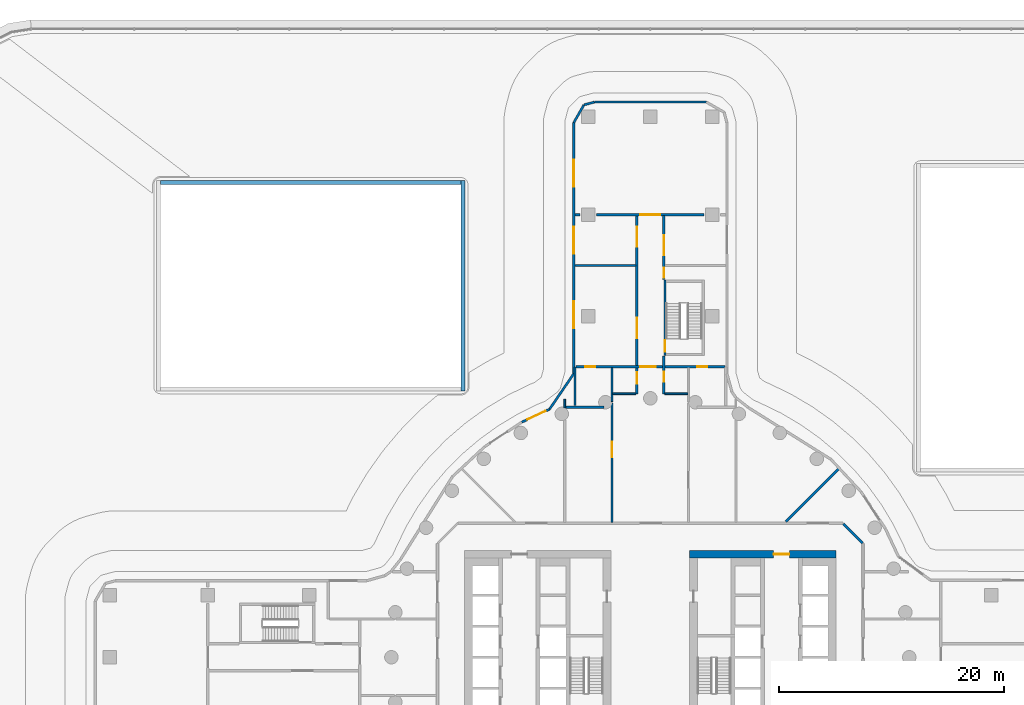
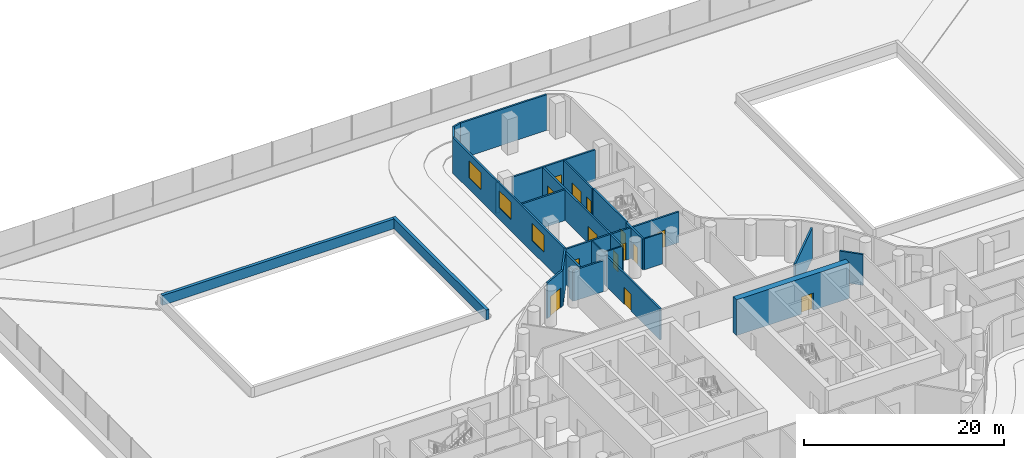
# One storey, part 27 of 37: 26 walls, 14 doors, 3 windows, 17 openings.
"""IFC4 building model written with IfcOpenShell, lengths in metres."""

from ifc_helpers import new_model, si_unit, direction, frame, frame_2d, origin, place, context, subcontext, project, spatial, rectangle, extrude, material, layer, layer_set, type_object, element, fill, save


model = new_model("IFC4")

# Units and contexts
model_context = context("Model", 3, precision=1e-05, world=origin(), true_north=direction((0.0, 1.0)))
body_context = subcontext(model_context, "Body", "Model", "MODEL_VIEW")
ifc_project = project(units=[si_unit("LENGTHUNIT", "METRE"), si_unit("AREAUNIT", "SQUARE_METRE"), si_unit("VOLUMEUNIT", "CUBIC_METRE"), si_unit("PLANEANGLEUNIT", "RADIAN"), si_unit("MASSUNIT", "GRAM", prefix="KILO")], contexts=[model_context])

# Site, building, storey
site_placement = place(None, origin())
site = spatial("IfcSite", under=ifc_project, at=site_placement, CompositionType="ELEMENT")
building_placement = place(site_placement, origin())
building = spatial("IfcBuilding", under=site, at=building_placement, Name="Tamarind Cross Interchange Tower", CompositionType="ELEMENT")
storey_placement = place(building_placement, frame((0.0, 0.0, 29.5)))
storey = spatial("IfcBuildingStorey", under=building, at=storey_placement, Name="L05", CompositionType="ELEMENT", Elevation=29.5)

# Wall, opening, door
ifc_material_1 = material(Name="Concrete C80", Category="concrete")
ifc_layer_1 = layer(ifc_material_1, 0.699951171875)
ifc_layer_set_1 = layer_set([ifc_layer_1], Name="Concrete C80")
wall_type_1 = type_object("IfcWallType", Name="Core wall 700 mm Concrete C80", PredefinedType="SHEAR", material=ifc_layer_set_1)
wall_1_placement = place(storey_placement, frame((16.5, 9.14990234375, 0.0), z_axis=(0.0, 0.0, 1.0), x_axis=(-1.0, 0.0, 0.0)))
wall_1 = element("IfcWall", 1, at=wall_1_placement, inside=storey, type_object=wall_type_1, Name="Core wall CWL-L05-E-NE", PredefinedType="SHEAR", context=body_context, shape_type="SweptSolid", body=[
    extrude(rectangle(XDim=13.0, YDim=0.699951171875, at=frame_2d((6.5, 0.0))), origin(), (0.0, 0.0, 1.0), 4.360107421875),
])
opening_1_placement = place(wall_1_placement, frame((4.14990234375, 0.0, 0.0)))
opening_1 = element("IfcOpeningElement", 2, at=opening_1_placement, cuts=wall_1, Name="Opening DCE31", PredefinedType="OPENING", context=body_context, shape_type="SweptSolid", body=[
    extrude(rectangle(XDim=1.39990234375, YDim=2.10009765625, at=frame_2d((0.699951171875, 1.050048828125))), frame((0.0, 0.35986328125, 0.0), z_axis=(0.0, -1.0, 0.0), x_axis=(1.0, 0.0, 0.0)), (0.0, 0.0, 1.0), 0.719970703125),
])
ifc_material_2 = material(Name="Steel, fire-resisting", Category="steel")
door_type_1 = type_object("IfcDoorType", Name="Core fire door 1400 x 2100 FD90", OperationType="SINGLE_SWING_LEFT", PredefinedType="DOOR", material=ifc_material_2)
door_1_placement = place(opening_1_placement, origin())
door_1 = element("IfcDoor", 3, at=door_1_placement, inside=storey, type_object=door_type_1, Name="L05 lift hall exit door", OperationType="SINGLE_SWING_LEFT", OverallHeight=2.10009765625, OverallWidth=1.39990234375, PredefinedType="DOOR", context=body_context, shape_type="SweptSolid", body=[
    extrude(rectangle(XDim=1.39990234375, YDim=2.10009765625, at=frame_2d((0.699951171875, 1.050048828125))), frame((0.0, 0.02490234375, 0.0), z_axis=(0.0, -1.0, 0.0), x_axis=(1.0, 0.0, 0.0)), (0.0, 0.0, 1.0), 0.050048828125),
])
fill(opening_1, door_1)

# Walls
ifc_material_3 = material(Name="Gypsum board partition on steel studs", Category="steel")
ifc_layer_2 = layer(ifc_material_3, 0.14990234375)
ifc_layer_set_2 = layer_set([ifc_layer_2], Name="Gypsum board partition on steel studs")
wall_type_2 = type_object("IfcWallType", Name="Partition 150 mm EI 120", PredefinedType="PARTITIONING", material=ifc_layer_set_2)
for number, where, z_axis, x_axis, name in (
    (4, (-3.340087890625, 23.39990234375, 0.0), (0.0, 0.0, 1.0), (1.0, 0.0, 0.0), "Partition L05-042"),
    (5, (1.284912109375, 23.39990234375, 0.0), (0.0, 0.0, 1.0), (1.0, 0.0, 0.0), "Partition L05-043"),
):
    element("IfcWall", number, at=place(storey_placement, frame(where, z_axis=z_axis, x_axis=x_axis)), inside=storey, type_object=wall_type_2, Name=name, PredefinedType="PARTITIONING", context=body_context, shape_type="SweptSolid", body=[
        extrude(rectangle(XDim=2.05517578125, YDim=0.14990234375, at=frame_2d((1.027587890625, 0.0))), origin(), (0.0, 0.0, 1.0), 3.760009765625),
    ])
wall_2_placement = place(storey_placement, frame((-7.60009765625, 22.151611328125, 0.0), z_axis=(0.0, 0.0, 1.0), x_axis=(0.0, 1.0, 0.0)))
element("IfcWall", 6, at=wall_2_placement, inside=storey, type_object=wall_type_2, Name="Partition L05-057", PredefinedType="PARTITIONING", context=body_context, shape_type="SweptSolid", body=[
    extrude(rectangle(XDim=0.770263671875, YDim=0.14990234375, at=frame_2d((0.38525390625, 0.0))), origin(), (0.0, 0.0, 1.0), 3.760009765625),
])
wall_3_placement = place(storey_placement, frame((-3.39990234375, 22.710693359375, 0.0), z_axis=(0.0, 0.0, 1.0), x_axis=(0.0, 1.0, 0.0)))
element("IfcWall", 7, at=wall_3_placement, inside=storey, type_object=wall_type_2, Name="Partition L05-061", PredefinedType="PARTITIONING", context=body_context, shape_type="SweptSolid", body=[
    extrude(rectangle(XDim=3.00439453125, YDim=0.14990234375, at=frame_2d((1.502197265625, 0.0))), origin(), (0.0, 0.0, 1.0), 3.760009765625),
])
ifc_layer_3 = layer(ifc_material_3, 0.199951171875)
ifc_layer_set_3 = layer_set([ifc_layer_3], Name="Gypsum board partition on steel studs")
wall_type_3 = type_object("IfcWallType", Name="Partition 200 mm EI 180", PredefinedType="PARTITIONING", material=ifc_layer_set_3)
wall_4_placement = place(storey_placement, frame((17.142333984375, 11.857666015625, 0.0), z_axis=(0.0, 0.0, 1.0), x_axis=(0.707106781187, -0.707106781187, 0.0)))
element("IfcWall", 8, at=wall_4_placement, inside=storey, type_object=wall_type_3, Name="Partition L05-004", PredefinedType="PARTITIONING", context=body_context, shape_type="SweptSolid", body=[
    extrude(rectangle(XDim=2.42578125, YDim=0.199951171875, at=frame_2d((1.212890625, 0.0))), origin(), (0.0, 0.0, 1.0), 3.760009765625),
])
wall_5_placement = place(storey_placement, frame((-7.5400390625, 22.199951171875, 0.0), z_axis=(0.0, 0.0, 1.0), x_axis=(1.0, 0.0, 0.0)))
element("IfcWall", 9, at=wall_5_placement, inside=storey, type_object=wall_type_3, Name="Partition L05-029", PredefinedType="PARTITIONING", context=body_context, shape_type="SweptSolid", body=[
    extrude(rectangle(XDim=3.413330078125, YDim=0.199951171875, at=frame_2d((1.70654296875, 0.0))), origin(), (0.0, 0.0, 1.0), 3.760009765625),
])

# Wall, openings, doors
wall_6_placement = place(storey_placement, frame((-6.618896484375, 25.800048828125, 0.0), z_axis=(0.0, 0.0, 1.0), x_axis=(1.0, 0.0, 0.0)))
wall_6 = element("IfcWall", 10, at=wall_6_placement, inside=storey, type_object=wall_type_3, Name="Partition L05-035", PredefinedType="PARTITIONING", context=body_context, shape_type="SweptSolid", body=[
    extrude(rectangle(XDim=13.23779296875, YDim=0.199951171875, at=frame_2d((6.618896484375, 0.0))), origin(), (0.0, 0.0, 1.0), 3.760009765625),
])
opening_2_placement = place(wall_6_placement, frame((5.718994140625, 0.0, 0.0)))
opening_2 = element("IfcOpeningElement", 11, at=opening_2_placement, cuts=wall_6, Name="Opening D12", PredefinedType="OPENING", context=body_context, shape_type="SweptSolid", body=[
    extrude(rectangle(XDim=1.39990234375, YDim=2.10009765625, at=frame_2d((0.699951171875, 1.050048828125))), frame((0.0, 0.10986328125, 0.0), z_axis=(0.0, -1.0, 0.0), x_axis=(1.0, 0.0, 0.0)), (0.0, 0.0, 1.0), 0.219970703125),
])
opening_3_placement = place(wall_6_placement, frame((0.84912109375, 0.0, 0.0)))
opening_3 = element("IfcOpeningElement", 12, at=opening_3_placement, cuts=wall_6, Name="Opening D13", PredefinedType="OPENING", context=body_context, shape_type="SweptSolid", body=[
    extrude(rectangle(XDim=0.89990234375, YDim=2.10009765625, at=frame_2d((0.449951171875, 1.050048828125))), frame((0.0, 0.10986328125, 0.0), z_axis=(0.0, -1.0, 0.0), x_axis=(1.0, 0.0, 0.0)), (0.0, 0.0, 1.0), 0.219970703125),
])
opening_4_placement = place(wall_6_placement, frame((10.76904296875, 0.0, 0.0)))
opening_4 = element("IfcOpeningElement", 13, at=opening_4_placement, cuts=wall_6, Name="Opening D14", PredefinedType="OPENING", context=body_context, shape_type="SweptSolid", body=[
    extrude(rectangle(XDim=0.89990234375, YDim=2.10009765625, at=frame_2d((0.449951171875, 1.050048828125))), frame((0.0, 0.10986328125, 0.0), z_axis=(0.0, -1.0, 0.0), x_axis=(1.0, 0.0, 0.0)), (0.0, 0.0, 1.0), 0.219970703125),
])
ifc_material_4 = material(Name="Fire-resisting door set")
door_type_2 = type_object("IfcDoorType", Name="Interior door 1400 x 2100 FD120S", OperationType="DOUBLE_DOOR_SINGLE_SWING", PredefinedType="DOOR", material=ifc_material_4)
door_2_placement = place(opening_2_placement, frame((1.39990234375, 0.0, 0.0), z_axis=(0.0, 0.0, 1.0), x_axis=(-1.0, 0.0, 0.0)))
door_2 = element("IfcDoor", 14, at=door_2_placement, inside=storey, type_object=door_type_2, Name="Door D12", OperationType="DOUBLE_DOOR_SINGLE_SWING", OverallHeight=2.10009765625, OverallWidth=1.39990234375, PredefinedType="DOOR", context=body_context, shape_type="SweptSolid", body=[
    extrude(rectangle(XDim=1.39990234375, YDim=2.10009765625, at=frame_2d((0.699951171875, 1.050048828125))), frame((0.0, 0.02490234375, 0.0), z_axis=(0.0, -1.0, 0.0), x_axis=(1.0, 0.0, 0.0)), (0.0, 0.0, 1.0), 0.050048828125),
])
fill(opening_2, door_2)
door_type_3 = type_object("IfcDoorType", Name="Interior door 900 x 2100 FD120S", OperationType="SINGLE_SWING_LEFT", PredefinedType="DOOR", material=ifc_material_4)
door_3_placement = place(opening_3_placement, frame((0.89990234375, 0.0, 0.0), z_axis=(0.0, 0.0, 1.0), x_axis=(-1.0, 0.0, 0.0)))
door_3 = element("IfcDoor", 15, at=door_3_placement, inside=storey, type_object=door_type_3, Name="Door D13", OperationType="SINGLE_SWING_LEFT", OverallHeight=2.10009765625, OverallWidth=0.89990234375, PredefinedType="DOOR", context=body_context, shape_type="SweptSolid", body=[
    extrude(rectangle(XDim=0.89990234375, YDim=2.10009765625, at=frame_2d((0.449951171875, 1.050048828125))), frame((0.0, 0.02490234375, 0.0), z_axis=(0.0, -1.0, 0.0), x_axis=(1.0, 0.0, 0.0)), (0.0, 0.0, 1.0), 0.050048828125),
])
fill(opening_3, door_3)
door_4_placement = place(opening_4_placement, frame((0.89990234375, 0.0, 0.0), z_axis=(0.0, 0.0, 1.0), x_axis=(-1.0, 0.0, 0.0)))
door_4 = element("IfcDoor", 16, at=door_4_placement, inside=storey, type_object=door_type_3, Name="Door D14", OperationType="SINGLE_SWING_RIGHT", OverallHeight=2.10009765625, OverallWidth=0.89990234375, PredefinedType="DOOR", context=body_context, shape_type="SweptSolid", body=[
    extrude(rectangle(XDim=0.89990234375, YDim=2.10009765625, at=frame_2d((0.449951171875, 1.050048828125))), frame((0.0, 0.02490234375, 0.0), z_axis=(0.0, -1.0, 0.0), x_axis=(1.0, 0.0, 0.0)), (0.0, 0.0, 1.0), 0.050048828125),
])
fill(opening_4, door_4)

# Walls
wall_7_placement = place(storey_placement, frame((-6.698974609375, 34.800048828125, 0.0), z_axis=(0.0, 0.0, 1.0), x_axis=(1.0, 0.0, 0.0)))
element("IfcWall", 17, at=wall_7_placement, inside=storey, type_object=wall_type_3, Name="Partition L05-036", PredefinedType="PARTITIONING", context=body_context, shape_type="SweptSolid", body=[
    extrude(rectangle(XDim=5.4140625, YDim=0.199951171875, at=frame_2d((2.70703125, 0.0))), origin(), (0.0, 0.0, 1.0), 3.760009765625),
])
wall_8_placement = place(storey_placement, frame((-6.698974609375, 39.300048828125, 0.0), z_axis=(0.0, 0.0, 1.0), x_axis=(1.0, 0.0, 0.0)))
element("IfcWall", 18, at=wall_8_placement, inside=storey, type_object=wall_type_3, Name="Partition L05-038", PredefinedType="PARTITIONING", context=body_context, shape_type="SweptSolid", body=[
    extrude(rectangle(XDim=0.468994140625, YDim=0.199951171875, at=frame_2d((0.234375, 0.0))), origin(), (0.0, 0.0, 1.0), 3.760009765625),
])

# Wall, opening, door
wall_9_placement = place(storey_placement, frame((-4.77001953125, 39.300048828125, 0.0), z_axis=(0.0, 0.0, 1.0), x_axis=(1.0, 0.0, 0.0)))
wall_9 = element("IfcWall", 19, at=wall_9_placement, inside=storey, type_object=wall_type_3, Name="Partition L05-039", PredefinedType="PARTITIONING", context=body_context, shape_type="SweptSolid", body=[
    extrude(rectangle(XDim=9.5400390625, YDim=0.199951171875, at=frame_2d((4.77001953125, 0.0))), origin(), (0.0, 0.0, 1.0), 3.760009765625),
])
opening_5_placement = place(wall_9_placement, frame((3.8701171875, 0.0, 0.0)))
opening_5 = element("IfcOpeningElement", 20, at=opening_5_placement, cuts=wall_9, Name="Opening D15", PredefinedType="OPENING", context=body_context, shape_type="SweptSolid", body=[
    extrude(rectangle(XDim=1.800048828125, YDim=2.10009765625, at=frame_2d((0.89990234375, 1.050048828125))), frame((0.0, 0.10986328125, 0.0), z_axis=(0.0, -1.0, 0.0), x_axis=(1.0, 0.0, 0.0)), (0.0, 0.0, 1.0), 0.219970703125),
])
door_type_4 = type_object("IfcDoorType", Name="Interior door 1800 x 2100 FD120S", OperationType="DOUBLE_DOOR_SINGLE_SWING", PredefinedType="DOOR", material=ifc_material_4)
door_5_placement = place(opening_5_placement, origin())
door_5 = element("IfcDoor", 21, at=door_5_placement, inside=storey, type_object=door_type_4, Name="Door D15", OperationType="DOUBLE_DOOR_SINGLE_SWING", OverallHeight=2.10009765625, OverallWidth=1.800048828125, PredefinedType="DOOR", context=body_context, shape_type="SweptSolid", body=[
    extrude(rectangle(XDim=1.800048828125, YDim=2.10009765625, at=frame_2d((0.89990234375, 1.050048828125))), frame((0.0, 0.02490234375, 0.0), z_axis=(0.0, -1.0, 0.0), x_axis=(1.0, 0.0, 0.0)), (0.0, 0.0, 1.0), 0.050048828125),
])
fill(opening_5, door_5)

# Wall
wall_10_placement = place(storey_placement, frame((12.052001953125, 12.052001953125, 0.0), z_axis=(0.0, 0.0, 1.0), x_axis=(0.707106781187, 0.707106781187, 0.0)))
element("IfcWall", 22, at=wall_10_placement, inside=storey, type_object=wall_type_3, Name="Partition L05-046", PredefinedType="PARTITIONING", context=body_context, shape_type="SweptSolid", body=[
    extrude(rectangle(XDim=6.630615234375, YDim=0.199951171875, at=frame_2d((3.3154296875, 0.0))), origin(), (0.0, 0.0, 1.0), 3.760009765625),
])

# Wall, opening, door
wall_11_placement = place(storey_placement, frame((-3.39990234375, 11.97998046875, 0.0), z_axis=(0.0, 0.0, 1.0), x_axis=(0.0, 1.0, 0.0)))
wall_11 = element("IfcWall", 23, at=wall_11_placement, inside=storey, type_object=wall_type_3, Name="Partition L05-060", PredefinedType="PARTITIONING", context=body_context, shape_type="SweptSolid", body=[
    extrude(rectangle(XDim=10.610595703125, YDim=0.199951171875, at=frame_2d((5.30517578125, 0.0))), origin(), (0.0, 0.0, 1.0), 3.760009765625),
])
opening_6_placement = place(wall_11_placement, frame((5.77001953125, 0.0, 0.0)))
opening_6 = element("IfcOpeningElement", 24, at=opening_6_placement, cuts=wall_11, Name="Opening D23", PredefinedType="OPENING", context=body_context, shape_type="SweptSolid", body=[
    extrude(rectangle(XDim=1.39990234375, YDim=2.10009765625, at=frame_2d((0.699951171875, 1.050048828125))), frame((0.0, 0.10986328125, 0.0), z_axis=(0.0, -1.0, 0.0), x_axis=(1.0, 0.0, 0.0)), (0.0, 0.0, 1.0), 0.219970703125),
])
door_6_placement = place(opening_6_placement, origin())
door_6 = element("IfcDoor", 25, at=door_6_placement, inside=storey, type_object=door_type_2, Name="Door D23", OperationType="DOUBLE_DOOR_SINGLE_SWING", OverallHeight=2.10009765625, OverallWidth=1.39990234375, PredefinedType="DOOR", context=body_context, shape_type="SweptSolid", body=[
    extrude(rectangle(XDim=1.39990234375, YDim=2.10009765625, at=frame_2d((0.699951171875, 1.050048828125))), frame((0.0, 0.02490234375, 0.0), z_axis=(0.0, -1.0, 0.0), x_axis=(1.0, 0.0, 0.0)), (0.0, 0.0, 1.0), 0.050048828125),
])
fill(opening_6, door_6)

# Wall, openings, doors
wall_12_placement = place(storey_placement, frame((-1.199951171875, 23.39990234375, 0.0), z_axis=(0.0, 0.0, 1.0), x_axis=(0.0, 1.0, 0.0)))
wall_12 = element("IfcWall", 26, at=wall_12_placement, inside=storey, type_object=wall_type_3, Name="Partition L05-064", PredefinedType="PARTITIONING", context=body_context, shape_type="SweptSolid", body=[
    extrude(rectangle(XDim=15.820068359375, YDim=0.199951171875, at=frame_2d((7.91015625, 0.0))), origin(), (0.0, 0.0, 1.0), 3.760009765625),
])
opening_7_placement = place(wall_12_placement, frame((0.89990234375, 0.0, 0.0)))
opening_7 = element("IfcOpeningElement", 27, at=opening_7_placement, cuts=wall_12, Name="Opening D25", PredefinedType="OPENING", context=body_context, shape_type="SweptSolid", body=[
    extrude(rectangle(XDim=1.0, YDim=2.10009765625, at=frame_2d((0.5, 1.050048828125))), frame((0.0, 0.10986328125, 0.0), z_axis=(0.0, -1.0, 0.0), x_axis=(1.0, 0.0, 0.0)), (0.0, 0.0, 1.0), 0.219970703125),
])
opening_8_placement = place(wall_12_placement, frame((4.949951171875, 0.0, 0.0)))
opening_8 = element("IfcOpeningElement", 28, at=opening_8_placement, cuts=wall_12, Name="Opening D26", PredefinedType="OPENING", context=body_context, shape_type="SweptSolid", body=[
    extrude(rectangle(XDim=1.800048828125, YDim=2.10009765625, at=frame_2d((0.89990234375, 1.050048828125))), frame((0.0, 0.10986328125, 0.0), z_axis=(0.0, -1.0, 0.0), x_axis=(1.0, 0.0, 0.0)), (0.0, 0.0, 1.0), 0.219970703125),
])
opening_9_placement = place(wall_12_placement, frame((13.050048828125, 0.0, 0.0)))
opening_9 = element("IfcOpeningElement", 29, at=opening_9_placement, cuts=wall_12, Name="Opening D27", PredefinedType="OPENING", context=body_context, shape_type="SweptSolid", body=[
    extrude(rectangle(XDim=1.800048828125, YDim=2.10009765625, at=frame_2d((0.89990234375, 1.050048828125))), frame((0.0, 0.10986328125, 0.0), z_axis=(0.0, -1.0, 0.0), x_axis=(1.0, 0.0, 0.0)), (0.0, 0.0, 1.0), 0.219970703125),
])
door_type_5 = type_object("IfcDoorType", Name="Interior door 1000 x 2100 FD120S", OperationType="SINGLE_SWING_LEFT", PredefinedType="DOOR", material=ifc_material_4)
door_7_placement = place(opening_7_placement, origin())
door_7 = element("IfcDoor", 30, at=door_7_placement, inside=storey, type_object=door_type_5, Name="Door D25", OperationType="SINGLE_SWING_RIGHT", OverallHeight=2.10009765625, OverallWidth=1.0, PredefinedType="DOOR", context=body_context, shape_type="SweptSolid", body=[
    extrude(rectangle(XDim=1.0, YDim=2.10009765625, at=frame_2d((0.5, 1.050048828125))), frame((0.0, 0.02490234375, 0.0), z_axis=(0.0, -1.0, 0.0), x_axis=(1.0, 0.0, 0.0)), (0.0, 0.0, 1.0), 0.050048828125),
])
fill(opening_7, door_7)
door_8_placement = place(opening_8_placement, origin())
door_8 = element("IfcDoor", 31, at=door_8_placement, inside=storey, type_object=door_type_4, Name="Door D26", OperationType="DOUBLE_DOOR_SINGLE_SWING", OverallHeight=2.10009765625, OverallWidth=1.800048828125, PredefinedType="DOOR", context=body_context, shape_type="SweptSolid", body=[
    extrude(rectangle(XDim=1.800048828125, YDim=2.10009765625, at=frame_2d((0.89990234375, 1.050048828125))), frame((0.0, 0.02490234375, 0.0), z_axis=(0.0, -1.0, 0.0), x_axis=(1.0, 0.0, 0.0)), (0.0, 0.0, 1.0), 0.050048828125),
])
fill(opening_8, door_8)
door_9_placement = place(opening_9_placement, origin())
door_9 = element("IfcDoor", 32, at=door_9_placement, inside=storey, type_object=door_type_4, Name="Door D27", OperationType="DOUBLE_DOOR_SINGLE_SWING", OverallHeight=2.10009765625, OverallWidth=1.800048828125, PredefinedType="DOOR", context=body_context, shape_type="SweptSolid", body=[
    extrude(rectangle(XDim=1.800048828125, YDim=2.10009765625, at=frame_2d((0.89990234375, 1.050048828125))), frame((0.0, 0.02490234375, 0.0), z_axis=(0.0, -1.0, 0.0), x_axis=(1.0, 0.0, 0.0)), (0.0, 0.0, 1.0), 0.050048828125),
])
fill(opening_9, door_9)

# Wall, opening, door
wall_13_placement = place(storey_placement, frame((1.199951171875, 23.39990234375, 0.0), z_axis=(0.0, 0.0, 1.0), x_axis=(0.0, 1.0, 0.0)))
wall_13 = element("IfcWall", 33, at=wall_13_placement, inside=storey, type_object=wall_type_3, Name="Partition L05-066", PredefinedType="PARTITIONING", context=body_context, shape_type="SweptSolid", body=[
    extrude(rectangle(XDim=3.360107421875, YDim=0.199951171875, at=frame_2d((1.68017578125, 0.0))), origin(), (0.0, 0.0, 1.0), 3.760009765625),
])
opening_10_placement = place(wall_13_placement, frame((1.050048828125, 0.0, 0.0)))
opening_10 = element("IfcOpeningElement", 34, at=opening_10_placement, cuts=wall_13, Name="Opening D29", PredefinedType="OPENING", context=body_context, shape_type="SweptSolid", body=[
    extrude(rectangle(XDim=0.89990234375, YDim=2.10009765625, at=frame_2d((0.449951171875, 1.050048828125))), frame((0.0, 0.10986328125, 0.0), z_axis=(0.0, -1.0, 0.0), x_axis=(1.0, 0.0, 0.0)), (0.0, 0.0, 1.0), 0.219970703125),
])
door_10_placement = place(opening_10_placement, frame((0.89990234375, 0.0, 0.0), z_axis=(0.0, 0.0, 1.0), x_axis=(-1.0, 0.0, 0.0)))
door_10 = element("IfcDoor", 35, at=door_10_placement, inside=storey, type_object=door_type_3, Name="Door D29", OperationType="SINGLE_SWING_LEFT", OverallHeight=2.10009765625, OverallWidth=0.89990234375, PredefinedType="DOOR", context=body_context, shape_type="SweptSolid", body=[
    extrude(rectangle(XDim=0.89990234375, YDim=2.10009765625, at=frame_2d((0.449951171875, 1.050048828125))), frame((0.0, 0.02490234375, 0.0), z_axis=(0.0, -1.0, 0.0), x_axis=(1.0, 0.0, 0.0)), (0.0, 0.0, 1.0), 0.050048828125),
])
fill(opening_10, door_10)

# Wall, openings, doors
wall_14_placement = place(storey_placement, frame((1.199951171875, 33.5400390625, 0.0), z_axis=(0.0, 0.0, 1.0), x_axis=(0.0, 1.0, 0.0)))
wall_14 = element("IfcWall", 36, at=wall_14_placement, inside=storey, type_object=wall_type_3, Name="Partition L05-067", PredefinedType="PARTITIONING", context=body_context, shape_type="SweptSolid", body=[
    extrude(rectangle(XDim=5.679931640625, YDim=0.199951171875, at=frame_2d((2.83984375, 0.0))), origin(), (0.0, 0.0, 1.0), 3.760009765625),
])
opening_11_placement = place(wall_14_placement, frame((2.159912109375, 0.0, 0.0)))
opening_11 = element("IfcOpeningElement", 37, at=opening_11_placement, cuts=wall_14, Name="Opening D30", PredefinedType="OPENING", context=body_context, shape_type="SweptSolid", body=[
    extrude(rectangle(XDim=1.800048828125, YDim=2.10009765625, at=frame_2d((0.89990234375, 1.050048828125))), frame((0.0, 0.10986328125, 0.0), z_axis=(0.0, -1.0, 0.0), x_axis=(1.0, 0.0, 0.0)), (0.0, 0.0, 1.0), 0.219970703125),
])
opening_12_placement = place(wall_14_placement, frame((0.14990234375, 0.0, 0.0)))
opening_12 = element("IfcOpeningElement", 38, at=opening_12_placement, cuts=wall_14, Name="Opening D31", PredefinedType="OPENING", context=body_context, shape_type="SweptSolid", body=[
    extrude(rectangle(XDim=0.89990234375, YDim=2.10009765625, at=frame_2d((0.449951171875, 1.050048828125))), frame((0.0, 0.10986328125, 0.0), z_axis=(0.0, -1.0, 0.0), x_axis=(1.0, 0.0, 0.0)), (0.0, 0.0, 1.0), 0.219970703125),
])
door_11_placement = place(opening_11_placement, frame((1.800048828125, 0.0, 0.0), z_axis=(0.0, 0.0, 1.0), x_axis=(-1.0, 0.0, 0.0)))
door_11 = element("IfcDoor", 39, at=door_11_placement, inside=storey, type_object=door_type_4, Name="Door D30", OperationType="DOUBLE_DOOR_SINGLE_SWING", OverallHeight=2.10009765625, OverallWidth=1.800048828125, PredefinedType="DOOR", context=body_context, shape_type="SweptSolid", body=[
    extrude(rectangle(XDim=1.800048828125, YDim=2.10009765625, at=frame_2d((0.89990234375, 1.050048828125))), frame((0.0, 0.02490234375, 0.0), z_axis=(0.0, -1.0, 0.0), x_axis=(1.0, 0.0, 0.0)), (0.0, 0.0, 1.0), 0.050048828125),
])
fill(opening_11, door_11)
door_12_placement = place(opening_12_placement, frame((0.89990234375, 0.0, 0.0), z_axis=(0.0, 0.0, 1.0), x_axis=(-1.0, 0.0, 0.0)))
door_12 = element("IfcDoor", 40, at=door_12_placement, inside=storey, type_object=door_type_3, Name="Door D31", OperationType="SINGLE_SWING_LEFT", OverallHeight=2.10009765625, OverallWidth=0.89990234375, PredefinedType="DOOR", context=body_context, shape_type="SweptSolid", body=[
    extrude(rectangle(XDim=0.89990234375, YDim=2.10009765625, at=frame_2d((0.449951171875, 1.050048828125))), frame((0.0, 0.02490234375, 0.0), z_axis=(0.0, -1.0, 0.0), x_axis=(1.0, 0.0, 0.0)), (0.0, 0.0, 1.0), 0.050048828125),
])
fill(opening_12, door_12)

# Walls
wall_15_placement = place(storey_placement, frame((-6.698974609375, 25.800048828125, 0.0), z_axis=(0.0, 0.0, 1.0), x_axis=(0.0, -1.0, 0.0)))
element("IfcWall", 41, at=wall_15_placement, inside=storey, type_object=wall_type_3, Name="Partition L05-082", PredefinedType="PARTITIONING", context=body_context, shape_type="SweptSolid", body=[
    extrude(rectangle(XDim=3.420166015625, YDim=0.199951171875, at=frame_2d((1.7099609375, 0.0))), origin(), (0.0, 0.0, 1.0), 3.760009765625),
])
ifc_material_5 = material(Name="Precast concrete C40", Category="concrete")
ifc_layer_4 = layer(ifc_material_5, 0.35009765625)
ifc_layer_set_4 = layer_set([ifc_layer_4], Name="Precast concrete C40")
wall_type_4 = type_object("IfcWallType", Name="Podium facade wall", PredefinedType="SOLIDWALL", material=ifc_layer_set_4)
wall_16_placement = place(storey_placement, frame((-43.5, 42.175048828125, 0.0), z_axis=(0.0, 0.0, 1.0), x_axis=(1.0, 0.0, 0.0)))
element("IfcWall", 42, at=wall_16_placement, inside=storey, type_object=wall_type_4, Name="CTW-L05-NWN00", PredefinedType="SOLIDWALL", context=body_context, shape_type="SweptSolid", body=[
    extrude(rectangle(XDim=26.699951171875, YDim=0.35009765625, at=frame_2d((13.35009765625, 0.0))), origin(), (0.0, 0.0, 1.0), 1.199951171875),
])
wall_17_placement = place(storey_placement, frame((-16.625, 23.64990234375, 0.0), z_axis=(0.0, 0.0, 1.0), x_axis=(0.0, 1.0, 0.0)))
element("IfcWall", 43, at=wall_17_placement, inside=storey, type_object=wall_type_4, Name="CTW-L05-NWE00", PredefinedType="SOLIDWALL", context=body_context, shape_type="SweptSolid", body=[
    extrude(rectangle(XDim=18.7001953125, YDim=0.35009765625, at=frame_2d((9.35009765625, 0.0))), origin(), (0.0, 0.0, 1.0), 1.199951171875),
])
ifc_layer_5 = layer(ifc_material_5, 0.199951171875)
ifc_layer_set_5 = layer_set([ifc_layer_5], Name="Precast concrete C40")
wall_type_5 = type_object("IfcWallType", Name="Refuge level external wall", PredefinedType="SOLIDWALL", material=ifc_layer_set_5)
wall_18_placement = place(storey_placement, frame((4.9736328125, 49.3076171875, 0.0), z_axis=(0.0, 0.0, 1.0), x_axis=(-1.0, 0.0, 0.0)))
element("IfcWall", 44, at=wall_18_placement, inside=storey, type_object=wall_type_5, Name="RFW-L05-13-0", PredefinedType="SOLIDWALL", context=body_context, shape_type="SweptSolid", body=[
    extrude(rectangle(XDim=9.947265625, YDim=0.199951171875, at=frame_2d((4.9736328125, 0.0))), origin(), (0.0, 0.0, 1.0), 4.360107421875),
])
wall_19_placement = place(storey_placement, frame((-4.9736328125, 49.3076171875, 0.0), z_axis=(0.0, 0.0, 1.0), x_axis=(-0.96591611198, -0.258855296676, 0.0)))
element("IfcWall", 45, at=wall_19_placement, inside=storey, type_object=wall_type_5, Name="RFW-L05-13-1", PredefinedType="SOLIDWALL", context=body_context, shape_type="SweptSolid", body=[
    extrude(rectangle(XDim=0.955322265625, YDim=0.199951171875, at=frame_2d((0.4775390625, 0.0))), origin(), (0.0, 0.0, 1.0), 4.360107421875),
])
wall_20_placement = place(storey_placement, frame((-5.896484375, 49.060302734375, 0.0), z_axis=(0.0, 0.0, 1.0), x_axis=(-0.496644654848, -0.867953965836, 0.0)))
element("IfcWall", 46, at=wall_20_placement, inside=storey, type_object=wall_type_5, Name="RFW-L05-13-2", PredefinedType="SOLIDWALL", context=body_context, shape_type="SweptSolid", body=[
    extrude(rectangle(XDim=1.8193359375, YDim=0.199951171875, at=frame_2d((0.90966796875, 0.0))), origin(), (0.0, 0.0, 1.0), 4.360107421875),
])

# Wall, openings, windows
wall_21_placement = place(storey_placement, frame((-6.800048828125, 47.481201171875, 0.0), z_axis=(0.0, 0.0, 1.0), x_axis=(0.0, -1.0, 0.0)))
wall_21 = element("IfcWall", 47, at=wall_21_placement, inside=storey, type_object=wall_type_5, Name="RFW-L05-14-0", PredefinedType="SOLIDWALL", context=body_context, shape_type="SweptSolid", body=[
    extrude(rectangle(XDim=22.2998046875, YDim=0.199951171875, at=frame_2d((11.14990234375, 0.0))), origin(), (0.0, 0.0, 1.0), 4.360107421875),
])
opening_13_placement = place(wall_21_placement, frame((3.300048828125, 0.0, 1.39990234375)))
opening_13 = element("IfcOpeningElement", 48, at=opening_13_placement, cuts=wall_21, Name="Opening W3", PredefinedType="OPENING", context=body_context, shape_type="SweptSolid", body=[
    extrude(rectangle(XDim=2.39990234375, YDim=2.10009765625, at=frame_2d((1.199951171875, 1.050048828125))), frame((0.0, 0.10986328125, 0.0), z_axis=(0.0, -1.0, 0.0), x_axis=(1.0, 0.0, 0.0)), (0.0, 0.0, 1.0), 0.219970703125),
])
opening_14_placement = place(wall_21_placement, frame((15.85009765625, 0.0, 1.39990234375)))
opening_14 = element("IfcOpeningElement", 49, at=opening_14_placement, cuts=wall_21, Name="Opening W3", PredefinedType="OPENING", context=body_context, shape_type="SweptSolid", body=[
    extrude(rectangle(XDim=2.39990234375, YDim=2.10009765625, at=frame_2d((1.199951171875, 1.050048828125))), frame((0.0, 0.10986328125, 0.0), z_axis=(0.0, -1.0, 0.0), x_axis=(1.0, 0.0, 0.0)), (0.0, 0.0, 1.0), 0.219970703125),
])
opening_15_placement = place(wall_21_placement, frame((9.25, 0.0, 1.39990234375)))
opening_15 = element("IfcOpeningElement", 50, at=opening_15_placement, cuts=wall_21, Name="Opening W3", PredefinedType="OPENING", context=body_context, shape_type="SweptSolid", body=[
    extrude(rectangle(XDim=2.39990234375, YDim=2.10009765625, at=frame_2d((1.199951171875, 1.050048828125))), frame((0.0, 0.10986328125, 0.0), z_axis=(0.0, -1.0, 0.0), x_axis=(1.0, 0.0, 0.0)), (0.0, 0.0, 1.0), 0.219970703125),
])
ifc_material_6 = material(Name="Aluminium and fire-resisting glass", Category="aluminium")
window_type = type_object("IfcWindowType", Name="Refuge rescue window", PartitioningType="DOUBLE_PANEL_VERTICAL", PredefinedType="WINDOW", material=ifc_material_6)
window_1_placement = place(opening_13_placement, origin())
window_1 = element("IfcWindow", 51, at=window_1_placement, inside=storey, type_object=window_type, Name="RSW-L05-14-01", OverallHeight=2.10009765625, OverallWidth=2.39990234375, PartitioningType="SINGLE_PANEL", PredefinedType="WINDOW", context=body_context, shape_type="SweptSolid", body=[
    extrude(rectangle(XDim=2.39990234375, YDim=2.10009765625, at=frame_2d((1.199951171875, 1.050048828125))), frame((0.0, 0.030029296875, 0.0), z_axis=(0.0, -1.0, 0.0), x_axis=(1.0, 0.0, 0.0)), (0.0, 0.0, 1.0), 0.06005859375),
])
fill(opening_13, window_1)
window_2_placement = place(opening_14_placement, origin())
window_2 = element("IfcWindow", 52, at=window_2_placement, inside=storey, type_object=window_type, Name="RSW-L05-14-02", OverallHeight=2.10009765625, OverallWidth=2.39990234375, PartitioningType="SINGLE_PANEL", PredefinedType="WINDOW", context=body_context, shape_type="SweptSolid", body=[
    extrude(rectangle(XDim=2.39990234375, YDim=2.10009765625, at=frame_2d((1.199951171875, 1.050048828125))), frame((0.0, 0.030029296875, 0.0), z_axis=(0.0, -1.0, 0.0), x_axis=(1.0, 0.0, 0.0)), (0.0, 0.0, 1.0), 0.06005859375),
])
fill(opening_14, window_2)
window_3_placement = place(opening_15_placement, origin())
window_3 = element("IfcWindow", 53, at=window_3_placement, inside=storey, type_object=window_type, Name="RSW-L05-14-03", OverallHeight=2.10009765625, OverallWidth=2.39990234375, PartitioningType="SINGLE_PANEL", PredefinedType="WINDOW", context=body_context, shape_type="SweptSolid", body=[
    extrude(rectangle(XDim=2.39990234375, YDim=2.10009765625, at=frame_2d((1.199951171875, 1.050048828125))), frame((0.0, 0.030029296875, 0.0), z_axis=(0.0, -1.0, 0.0), x_axis=(1.0, 0.0, 0.0)), (0.0, 0.0, 1.0), 0.06005859375),
])
fill(opening_15, window_3)

# Wall
wall_22_placement = place(storey_placement, frame((-6.800048828125, 25.181396484375, 0.0), z_axis=(0.0, 0.0, 1.0), x_axis=(-0.564050059702, -0.825740594951, 0.0)))
element("IfcWall", 54, at=wall_22_placement, inside=storey, type_object=wall_type_5, Name="RFW-L05-15-0", PredefinedType="SOLIDWALL", context=body_context, shape_type="SweptSolid", body=[
    extrude(rectangle(XDim=3.81201171875, YDim=0.199951171875, at=frame_2d((1.906005859375, 0.0))), origin(), (0.0, 0.0, 1.0), 4.360107421875),
])

# Wall, opening, door
wall_23_placement = place(storey_placement, frame((-8.9501953125, 22.03369140625, 0.0), z_axis=(0.0, 0.0, 1.0), x_axis=(-0.90557737159, -0.424181121769, 0.0)))
wall_23 = element("IfcWall", 55, at=wall_23_placement, inside=storey, type_object=wall_type_5, Name="RFW-L05-15-1", PredefinedType="SOLIDWALL", context=body_context, shape_type="SweptSolid", body=[
    extrude(rectangle(XDim=2.722412109375, YDim=0.199951171875, at=frame_2d((1.361328125, 0.0))), origin(), (0.0, 0.0, 1.0), 4.360107421875),
])
opening_16_placement = place(wall_23_placement, frame((0.39990234375, 0.0, 0.0)))
opening_16 = element("IfcOpeningElement", 56, at=opening_16_placement, cuts=wall_23, Name="Opening D7", PredefinedType="OPENING", context=body_context, shape_type="SweptSolid", body=[
    extrude(rectangle(XDim=1.800048828125, YDim=2.39990234375, at=frame_2d((0.89990234375, 1.199951171875))), frame((0.0, 0.10986328125, 0.0), z_axis=(0.0, -1.0, 0.0), x_axis=(1.0, 0.0, 0.0)), (0.0, 0.0, 1.0), 0.219970703125),
])
ifc_material_7 = material(Name="Steel FD90", Category="steel")
door_type_6 = type_object("IfcDoorType", Name="Exit passage door", OperationType="DOUBLE_DOOR_SINGLE_SWING", PredefinedType="DOOR", material=ifc_material_7)
door_13_placement = place(opening_16_placement, frame((1.800048828125, 0.0, 0.0), z_axis=(0.0, 0.0, 1.0), x_axis=(-1.0, 0.0, 0.0)))
door_13 = element("IfcDoor", 57, at=door_13_placement, inside=storey, type_object=door_type_6, Name="Exit door to the L05 deck 42", OperationType="DOUBLE_DOOR_SINGLE_SWING", OverallHeight=2.39990234375, OverallWidth=1.800048828125, PredefinedType="DOOR", context=body_context, shape_type="SweptSolid", body=[
    extrude(rectangle(XDim=1.800048828125, YDim=2.39990234375, at=frame_2d((0.89990234375, 1.199951171875))), frame((0.0, 0.02490234375, 0.0), z_axis=(0.0, -1.0, 0.0), x_axis=(1.0, 0.0, 0.0)), (0.0, 0.0, 1.0), 0.050048828125),
])
fill(opening_16, door_13)

ifc_material_8 = material(Name="Concrete C40", Category="concrete")
ifc_layer_6 = layer(ifc_material_8, 0.199951171875)
ifc_layer_set_6 = layer_set([ifc_layer_6], Name="Concrete C40")
wall_type_6 = type_object("IfcWallType", Name="Stair shaft wall 200 mm Concrete C40", PredefinedType="SHEAR", material=ifc_layer_set_6)
wall_24_placement = place(storey_placement, frame((1.300048828125, 26.800048828125, 0.0), z_axis=(0.0, 0.0, 1.0), x_axis=(0.0, 1.0, 0.0)))
wall_24 = element("IfcWall", 58, at=wall_24_placement, inside=storey, type_object=wall_type_6, Name="Core wall CWL-L05-ST4-H", PredefinedType="SHEAR", context=body_context, shape_type="SweptSolid", body=[
    extrude(rectangle(XDim=6.699951171875, YDim=0.199951171875, at=frame_2d((3.35009765625, 0.0))), origin(), (0.0, 0.0, 1.0), 3.760009765625),
])
opening_17_placement = place(wall_24_placement, frame((0.35009765625, 0.0, 0.0)))
opening_17 = element("IfcOpeningElement", 59, at=opening_17_placement, cuts=wall_24, Name="Opening ST4L05", PredefinedType="OPENING", context=body_context, shape_type="SweptSolid", body=[
    extrude(rectangle(XDim=1.0, YDim=2.10009765625, at=frame_2d((0.5, 1.050048828125))), frame((0.0, 0.10986328125, 0.0), z_axis=(0.0, -1.0, 0.0), x_axis=(1.0, 0.0, 0.0)), (0.0, 0.0, 1.0), 0.219970703125),
])
door_type_7 = type_object("IfcDoorType", Name="Core fire door 1000 x 2100 FD90", OperationType="SINGLE_SWING_LEFT", PredefinedType="DOOR", material=ifc_material_2)
door_14_placement = place(opening_17_placement, origin())
door_14 = element("IfcDoor", 60, at=door_14_placement, inside=storey, type_object=door_type_7, Name="L05 stair door ST4", OperationType="SINGLE_SWING_LEFT", OverallHeight=2.10009765625, OverallWidth=1.0, PredefinedType="DOOR", context=body_context, shape_type="SweptSolid", body=[
    extrude(rectangle(XDim=1.0, YDim=2.10009765625, at=frame_2d((0.5, 1.050048828125))), frame((0.0, 0.02490234375, 0.0), z_axis=(0.0, -1.0, 0.0), x_axis=(1.0, 0.0, 0.0)), (0.0, 0.0, 1.0), 0.050048828125),
])
fill(opening_17, door_14)

save(model, "model.ifc")
